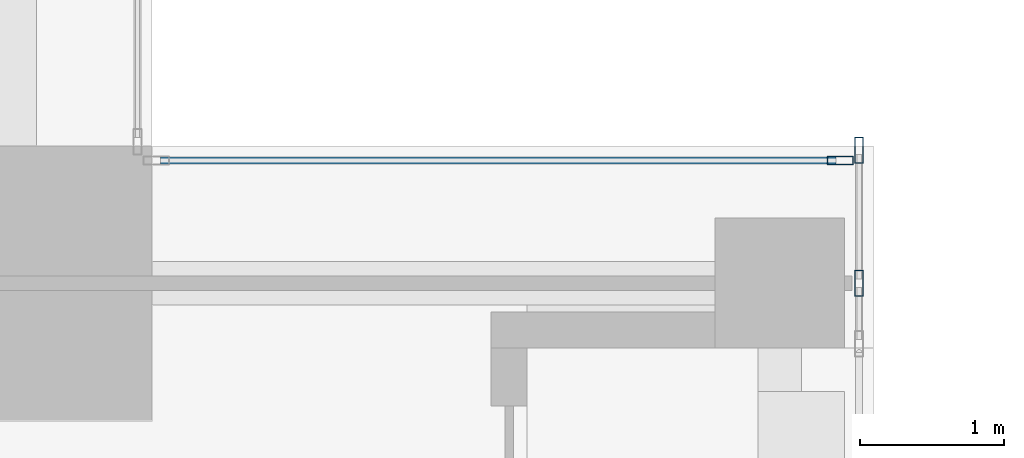
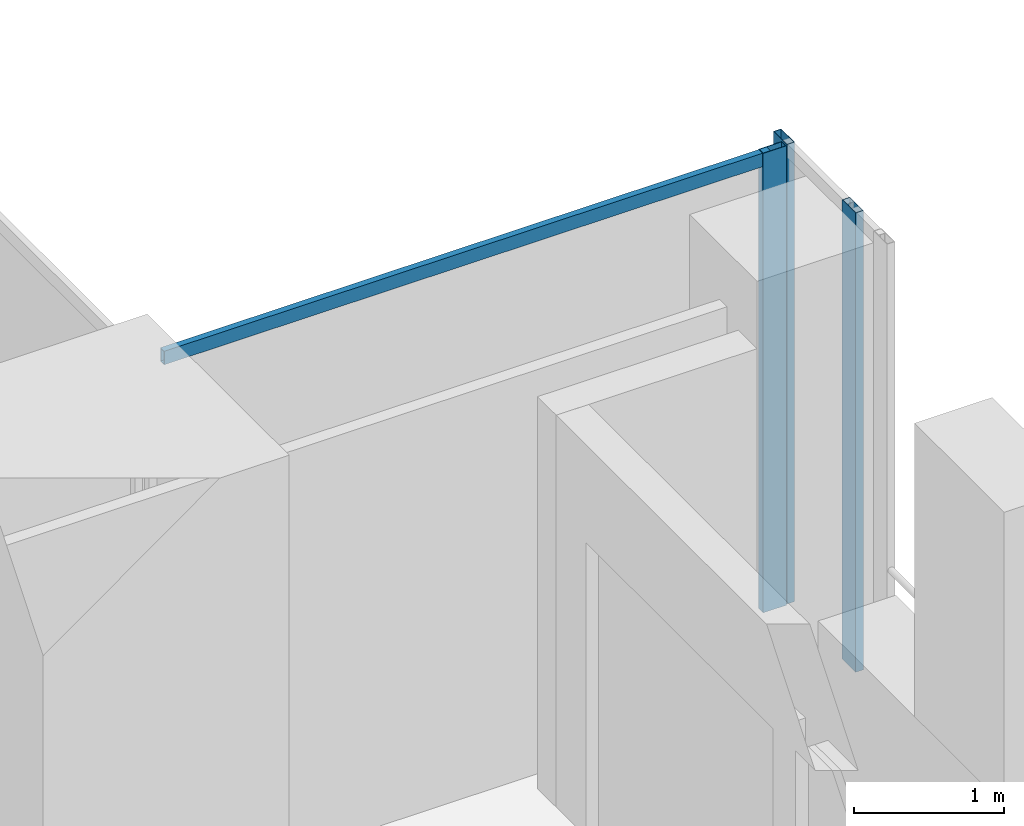
# One storey, part 22 of 34: 4 members, 2 elements without a shape of their own.
"""IFC4 building model written with IfcOpenShell, lengths in metres."""

from ifc_helpers import new_model, si_unit, direction, frame, origin, origin_2d, place, context, subcontext, project, spatial, hollow_rectangle, extrude, source, transform, mapped, material, material_profile, profile_set, type_object, element, aggregate, save


model = new_model("IFC4")

# Units and contexts
model_context = context("Model", 3, precision=1e-05, world=origin(), true_north=direction((0.0, 1.0)))
body_context = subcontext(model_context, "Body", "Model", "MODEL_VIEW")
ifc_project = project(units=[si_unit("LENGTHUNIT", "METRE"), si_unit("AREAUNIT", "SQUARE_METRE"), si_unit("VOLUMEUNIT", "CUBIC_METRE"), si_unit("PLANEANGLEUNIT", "RADIAN"), si_unit("MASSUNIT", "GRAM", prefix="KILO")], contexts=[model_context])

# Site, building, storey
site_placement = place(None, origin())
site = spatial("IfcSite", under=ifc_project, at=site_placement, CompositionType="ELEMENT")
building_placement = place(site_placement, origin())
building = spatial("IfcBuilding", under=site, at=building_placement, Name="Khomas Fold Tower", CompositionType="ELEMENT")
storey_placement = place(building_placement, frame((0.0, 0.0, 254.199951171875)))
storey = spatial("IfcBuildingStorey", under=building, at=storey_placement, Name="L57", CompositionType="ELEMENT", Elevation=254.199951171875)

# Curtain wall, members
ifc_material_1 = material(Name="Aluminium framed double glazing", Category="aluminium")
curtain_wall_type = type_object("IfcCurtainWallType", Name="SK-Unitised clear-glass wall, office floors CW2", PredefinedType="NOTDEFINED", material=ifc_material_1)
curtain_wall_1_placement = place(storey_placement, origin())
curtain_wall_1 = element("IfcCurtainWall", 1, at=curtain_wall_1_placement, inside=storey, type_object=curtain_wall_type, Name="CW2 run L57 03-1", PredefinedType="NOTDEFINED")
ifc_material_2 = material(Name="Aluminium", Category="aluminium")
ifc_material_profile_1 = material_profile(ifc_material_2, hollow_rectangle(XDim=0.06005859375, YDim=0.179931640625, WallThickness=0.00390625, at=origin_2d()), Name="SK-Unitised clear-glass wall, office floors mullion CW2-M")
ifc_profile_set_1 = profile_set([ifc_material_profile_1], Name="Aluminium")
member_type_1 = type_object("IfcMemberType", Name="SK-Unitised clear-glass wall, office floors mullion CW2-M", PredefinedType="MULLION", material=ifc_profile_set_1)
shared_shape_1 = source(origin(), body_context, "Body", "SweptSolid", [
    extrude(hollow_rectangle(XDim=0.06005859375, YDim=0.179931640625, WallThickness=0.00390625, at=origin_2d()), origin(), (0.0, 0.0, 1.0), 3.75),
])
member_1_placement = place(storey_placement, frame((49.39990234375, 43.550048828125, 0.0), z_axis=(0.0, 0.0, 1.0), x_axis=(-1.0, 0.0, 0.0)))
member_1 = element("IfcMember", 2, at=member_1_placement, type_object=member_type_1, Name="CW2 mullion 2", PredefinedType="MULLION", context=body_context, shape_type="MappedRepresentation", body=[
    mapped(shared_shape_1, transform((0.0, 0.0, 0.0))),
])
member_2_placement = place(storey_placement, frame((49.39990234375, 44.469970703125, 0.0), z_axis=(0.0, 0.0, 1.0), x_axis=(-1.0, 0.0, 0.0)))
member_2 = element("IfcMember", 3, at=member_2_placement, type_object=member_type_1, Name="CW2 mullion 3", PredefinedType="MULLION", context=body_context, shape_type="MappedRepresentation", body=[
    mapped(shared_shape_1, transform((0.0, 0.0, 0.0))),
])
aggregate(curtain_wall_1, [member_1, member_2])

curtain_wall_2_placement = place(storey_placement, origin())
curtain_wall_2 = element("IfcCurtainWall", 4, at=curtain_wall_2_placement, inside=storey, type_object=curtain_wall_type, Name="CW2 corner return L57 04", PredefinedType="NOTDEFINED")
member_3_placement = place(storey_placement, frame((49.27001953125, 44.39990234375, 0.0), z_axis=(0.0, 0.0, 1.0), x_axis=(0.0, -1.0, 0.0)))
member_3 = element("IfcMember", 5, at=member_3_placement, type_object=member_type_1, Name="CW2 mullion 1", PredefinedType="MULLION", context=body_context, shape_type="MappedRepresentation", body=[
    mapped(shared_shape_1, transform((0.0, 0.0, 0.0))),
])
ifc_material_3 = material(Name="Aluminium", Category="aluminium")
ifc_material_profile_2 = material_profile(ifc_material_3, hollow_rectangle(XDim=0.050048828125, YDim=0.110107421875, WallThickness=0.00390625, at=origin_2d()), Name="SK-Unitised clear-glass wall, office floors transom CW2-T")
ifc_profile_set_2 = profile_set([ifc_material_profile_2], Name="Aluminium")
member_type_2 = type_object("IfcMemberType", Name="SK-Unitised clear-glass wall, office floors transom CW2-T", PredefinedType="USERDEFINED", material=ifc_profile_set_2)
shared_shape_2 = source(origin(), body_context, "Body", "SweptSolid", [
    extrude(hollow_rectangle(XDim=0.050048828125, YDim=0.110107421875, WallThickness=0.00390625, at=origin_2d()), origin(), (0.0, 0.0, 1.0), 4.679931640625),
])
member_4_placement = place(storey_placement, frame((49.239990234375, 44.39990234375, 3.695068359375), z_axis=(-1.0, 0.0, 0.0), x_axis=(0.0, -1.0, 0.0)))
member_4 = element("IfcMember", 6, at=member_4_placement, type_object=member_type_2, Name="CW2 transom 1", ObjectType="TRANSOM", PredefinedType="USERDEFINED", context=body_context, shape_type="MappedRepresentation", body=[
    mapped(shared_shape_2, transform((0.0, 0.0, 0.0))),
])
aggregate(curtain_wall_2, [member_3, member_4])

save(model, "model.ifc")
